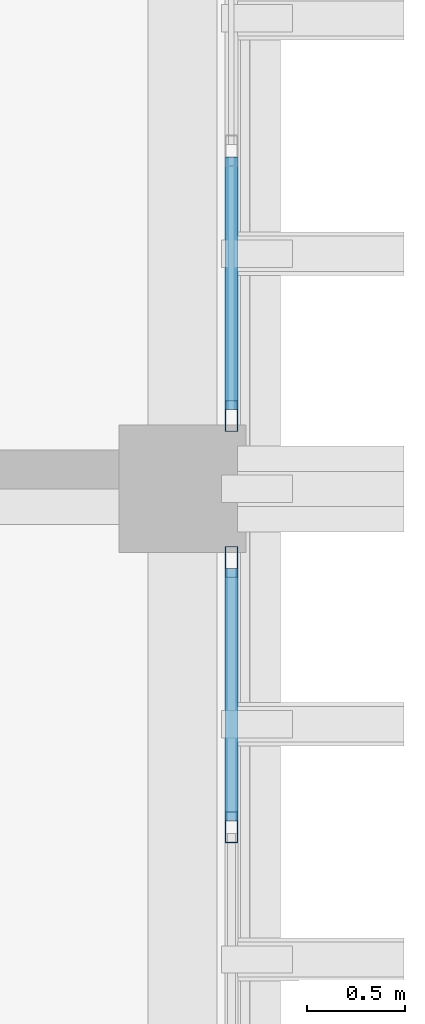
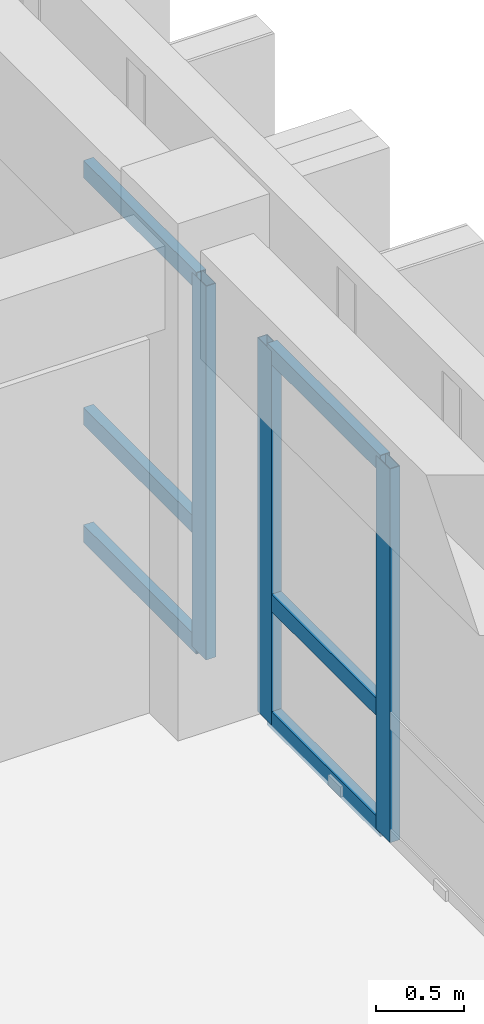
# One storey, part 31 of 49: 9 members, 2 elements without a shape of their own.
"""IFC4 building model written with IfcOpenShell, lengths in metres."""

from ifc_helpers import new_model, si_unit, direction, frame, origin, origin_2d, place, context, subcontext, project, spatial, hollow_rectangle, extrude, material, layer, layer_set, material_profile, profile_set, type_object, element, aggregate, save


model = new_model("IFC4")

# Units and contexts
model_context = context("Model", 3, precision=1e-05, world=origin(), true_north=direction((0.0, 1.0)))
body_context = subcontext(model_context, "Body", "Model", "MODEL_VIEW")
ifc_project = project(units=[si_unit("LENGTHUNIT", "METRE"), si_unit("AREAUNIT", "SQUARE_METRE"), si_unit("VOLUMEUNIT", "CUBIC_METRE"), si_unit("PLANEANGLEUNIT", "RADIAN"), si_unit("MASSUNIT", "GRAM", prefix="KILO")], contexts=[model_context])

# Site, building, storey
site_placement = place(None, origin())
site = spatial("IfcSite", under=ifc_project, at=site_placement, CompositionType="ELEMENT")
building_placement = place(site_placement, origin())
building = spatial("IfcBuilding", under=site, at=building_placement, Name="Nakhvara Creek Congress Hotel", CompositionType="ELEMENT")
storey_placement = place(building_placement, frame((0.0, 0.0, 39.0)))
storey = spatial("IfcBuildingStorey", under=building, at=storey_placement, Name="L09", CompositionType="ELEMENT", Elevation=39.0)

# Curtain wall, members
ifc_material_1 = material(Name="Bronze-anodised aluminium AW-6063-T6 and double-silver low-E glass", Category="aluminium")
ifc_layer = layer(ifc_material_1, 0.199951171875)
ifc_layer_set = layer_set([ifc_layer], Name="Bronze-anodised aluminium AW-6063-T6 and double-silver low-E glass")
curtain_wall_type = type_object("IfcCurtainWallType", Name="CW-HTL-UNIT", PredefinedType="USERDEFINED", material=ifc_layer_set)
curtain_wall_1_placement = place(storey_placement, origin())
curtain_wall_1 = element("IfcCurtainWall", 1, at=curtain_wall_1_placement, inside=storey, type_object=curtain_wall_type, Name="Curtain Wall CW307", ObjectType="UNITISED", PredefinedType="USERDEFINED")
ifc_material_2 = material(Name="Bronze-anodised aluminium AW-6063-T6", Category="aluminium")
ifc_material_profile_1 = material_profile(ifc_material_2, hollow_rectangle(XDim=0.06494140625, YDim=0.159912109375, WallThickness=0.00390625, at=origin_2d()), Name="ALU-MULL 65x160x4", Category="LoadBearing")
ifc_profile_set_1 = profile_set([ifc_material_profile_1], Name="Bronze-anodised aluminium AW-6063-T6")
member_type_1 = type_object("IfcMemberType", Name="CW-MULL-160", PredefinedType="MULLION", material=ifc_profile_set_1)
member_1_placement = place(storey_placement, frame((179.60009765625, 105.2275390625, 0.0), z_axis=(0.0, 0.0, 1.0), x_axis=(1.0, 0.0, 0.0)))
member_1 = element("IfcMember", 2, at=member_1_placement, type_object=member_type_1, Name="CW307 mullion 1", PredefinedType="MULLION", context=body_context, shape_type="SweptSolid", body=[
    extrude(hollow_rectangle(XDim=0.06494140625, YDim=0.159912109375, WallThickness=0.00390625, at=origin_2d()), origin(), (0.0, 0.0, 1.0), 2.60205078125),
])
member_2_placement = place(storey_placement, frame((179.60009765625, 103.875, 0.0), z_axis=(0.0, 0.0, 1.0), x_axis=(1.0, 0.0, 0.0)))
member_2 = element("IfcMember", 3, at=member_2_placement, type_object=member_type_1, Name="CW307 mullion 2", PredefinedType="MULLION", context=body_context, shape_type="SweptSolid", body=[
    extrude(hollow_rectangle(XDim=0.06494140625, YDim=0.159912109375, WallThickness=0.00390625, at=origin_2d()), origin(), (0.0, 0.0, 1.0), 2.60205078125),
])

# Curtain wall, member
curtain_wall_2_placement = place(storey_placement, origin())
curtain_wall_2 = element("IfcCurtainWall", 4, at=curtain_wall_2_placement, inside=storey, type_object=curtain_wall_type, Name="Curtain Wall CW309", ObjectType="UNITISED", PredefinedType="USERDEFINED")
member_3_placement = place(storey_placement, frame((179.60009765625, 105.972412109375, 0.0), z_axis=(0.0, 0.0, 1.0), x_axis=(1.0, 0.0, 0.0)))
member_3 = element("IfcMember", 5, at=member_3_placement, type_object=member_type_1, Name="CW309 mullion 4", PredefinedType="MULLION", context=body_context, shape_type="SweptSolid", body=[
    extrude(hollow_rectangle(XDim=0.06494140625, YDim=0.159912109375, WallThickness=0.00390625, at=origin_2d()), origin(), (0.0, 0.0, 1.0), 2.60205078125),
])

# Member
ifc_material_profile_2 = material_profile(ifc_material_2, hollow_rectangle(XDim=0.06494140625, YDim=0.1201171875, WallThickness=0.00390625, at=origin_2d()), Name="ALU-TRAN 65x120x4", Category="LoadBearing")
ifc_profile_set_2 = profile_set([ifc_material_profile_2], Name="Bronze-anodised aluminium AW-6063-T6")
member_type_2 = type_object("IfcMemberType", Name="CW-TRAN-120", PredefinedType="USERDEFINED", material=ifc_profile_set_2)
member_4_placement = place(storey_placement, frame((179.60009765625, 105.195068359375, 0.032470703125), z_axis=(0.0, -1.0, 0.0), x_axis=(1.0, 0.0, 0.0)))
member_4 = element("IfcMember", 6, at=member_4_placement, type_object=member_type_2, Name="CW307 transom 1.1", ObjectType="TRANSOM", PredefinedType="USERDEFINED", context=body_context, shape_type="SweptSolid", body=[
    extrude(hollow_rectangle(XDim=0.06494140625, YDim=0.1201171875, WallThickness=0.00390625, at=origin_2d()), origin(), (0.0, 0.0, 1.0), 1.28759765625),
])

member_5_placement = place(storey_placement, frame((179.60009765625, 105.195068359375, 0.85009765625), z_axis=(0.0, -1.0, 0.0), x_axis=(1.0, 0.0, 0.0)))
member_5 = element("IfcMember", 7, at=member_5_placement, type_object=member_type_2, Name="CW307 transom 1.2", ObjectType="TRANSOM", PredefinedType="USERDEFINED", context=body_context, shape_type="SweptSolid", body=[
    extrude(hollow_rectangle(XDim=0.06494140625, YDim=0.1201171875, WallThickness=0.00390625, at=origin_2d()), origin(), (0.0, 0.0, 1.0), 1.28759765625),
])

member_6_placement = place(storey_placement, frame((179.60009765625, 105.195068359375, 2.569580078125), z_axis=(0.0, -1.0, 0.0), x_axis=(1.0, 0.0, 0.0)))
member_6 = element("IfcMember", 8, at=member_6_placement, type_object=member_type_2, Name="CW307 transom 1.3", ObjectType="TRANSOM", PredefinedType="USERDEFINED", context=body_context, shape_type="SweptSolid", body=[
    extrude(hollow_rectangle(XDim=0.06494140625, YDim=0.1201171875, WallThickness=0.00390625, at=origin_2d()), origin(), (0.0, 0.0, 1.0), 1.28759765625),
])

aggregate(curtain_wall_1, [member_1, member_2, member_4, member_5, member_6])

member_7_placement = place(storey_placement, frame((179.60009765625, 107.29248046875, 0.032470703125), z_axis=(0.0, -1.0, 0.0), x_axis=(1.0, 0.0, 0.0)))
member_7 = element("IfcMember", 9, at=member_7_placement, type_object=member_type_2, Name="CW309 transom 3.1", ObjectType="TRANSOM", PredefinedType="USERDEFINED", context=body_context, shape_type="SweptSolid", body=[
    extrude(hollow_rectangle(XDim=0.06494140625, YDim=0.1201171875, WallThickness=0.00390625, at=origin_2d()), origin(), (0.0, 0.0, 1.0), 1.28759765625),
])

member_8_placement = place(storey_placement, frame((179.60009765625, 107.29248046875, 0.85009765625), z_axis=(0.0, -1.0, 0.0), x_axis=(1.0, 0.0, 0.0)))
member_8 = element("IfcMember", 10, at=member_8_placement, type_object=member_type_2, Name="CW309 transom 3.2", ObjectType="TRANSOM", PredefinedType="USERDEFINED", context=body_context, shape_type="SweptSolid", body=[
    extrude(hollow_rectangle(XDim=0.06494140625, YDim=0.1201171875, WallThickness=0.00390625, at=origin_2d()), origin(), (0.0, 0.0, 1.0), 1.28759765625),
])

member_9_placement = place(storey_placement, frame((179.60009765625, 107.29248046875, 2.569580078125), z_axis=(0.0, -1.0, 0.0), x_axis=(1.0, 0.0, 0.0)))
member_9 = element("IfcMember", 11, at=member_9_placement, type_object=member_type_2, Name="CW309 transom 3.3", ObjectType="TRANSOM", PredefinedType="USERDEFINED", context=body_context, shape_type="SweptSolid", body=[
    extrude(hollow_rectangle(XDim=0.06494140625, YDim=0.1201171875, WallThickness=0.00390625, at=origin_2d()), origin(), (0.0, 0.0, 1.0), 1.28759765625),
])

aggregate(curtain_wall_2, [member_3, member_7, member_8, member_9])

save(model, "model.ifc")
